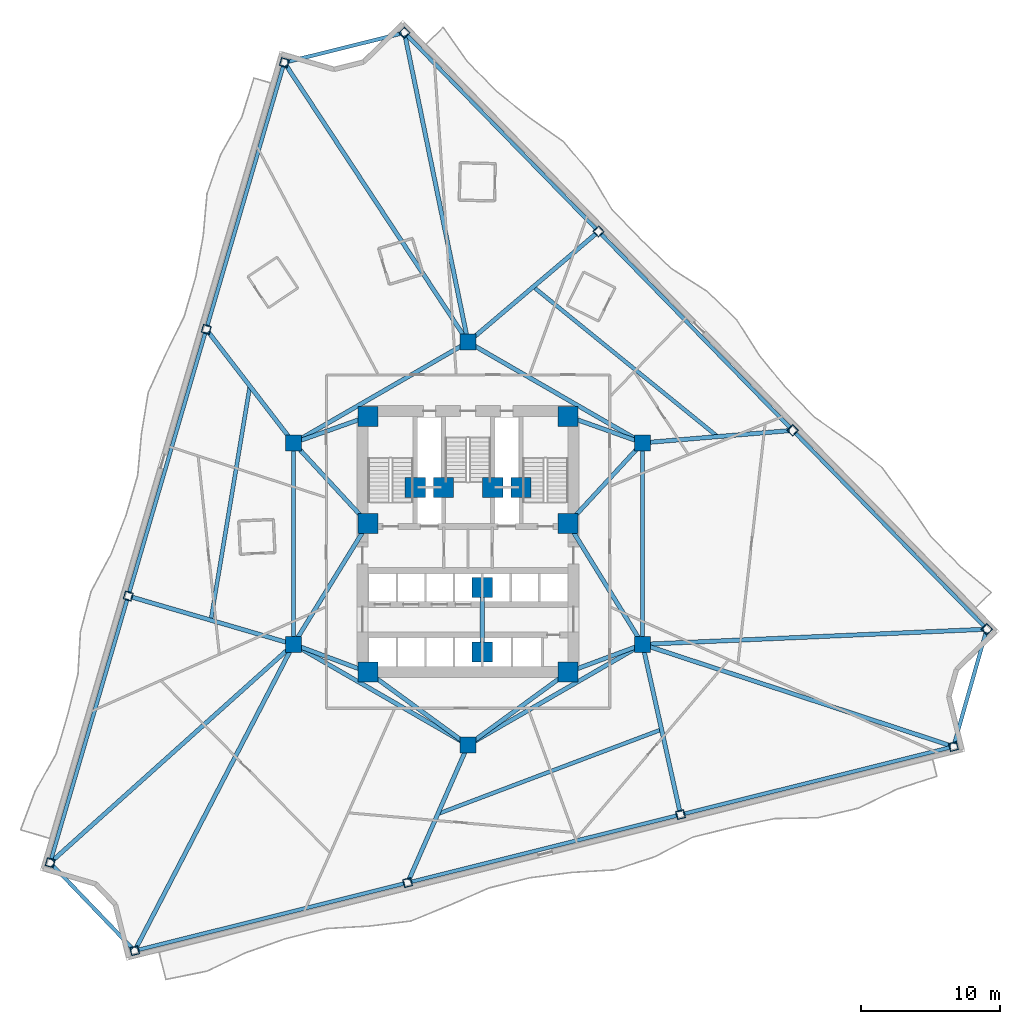
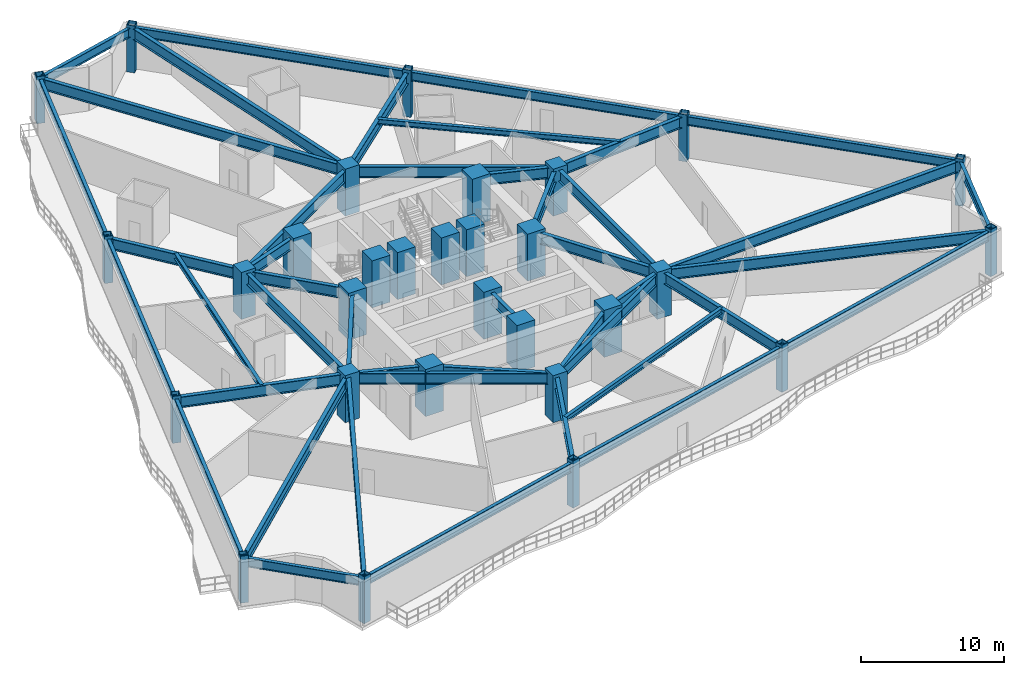
# One storey, part 1 of 10: 44 beams, 30 columns.
"""IFC4 building model written with IfcOpenShell, lengths in metres."""

from ifc_helpers import new_model, si_unit, direction, frame, origin, origin_2d, place, context, subcontext, project, spatial, rectangle, hollow_rectangle, i_section, extrude, material, material_profile, profile_set, type_object, element, save


model = new_model("IFC4")

# Units and contexts
model_context = context("Model", 3, precision=1e-05, world=origin(), true_north=direction((0.0, 1.0)))
body_context = subcontext(model_context, "Body", "Model", "MODEL_VIEW")
ifc_project = project(units=[si_unit("LENGTHUNIT", "METRE"), si_unit("AREAUNIT", "SQUARE_METRE"), si_unit("VOLUMEUNIT", "CUBIC_METRE"), si_unit("PLANEANGLEUNIT", "RADIAN"), si_unit("MASSUNIT", "GRAM", prefix="KILO")], contexts=[model_context])

# Site, building, storey
site_placement = place(None, origin())
site = spatial("IfcSite", under=ifc_project, at=site_placement, CompositionType="ELEMENT")
building_placement = place(site_placement, origin())
building = spatial("IfcBuilding", under=site, at=building_placement, Name="Apsidion Concourse Tower", CompositionType="ELEMENT")
storey_placement = place(building_placement, frame((0.0, 0.0, 99.0)))
storey = spatial("IfcBuildingStorey", under=building, at=storey_placement, Name="L22", CompositionType="ELEMENT", Elevation=99.0)

# Columns
ifc_material_1 = material(Name="Structural steel ASTM A572 Grade 50", Category="steel")
ifc_material_profile_1 = material_profile(ifc_material_1, hollow_rectangle(XDim=0.60009765625, YDim=0.60009765625, WallThickness=0.0400390625, at=origin_2d()), Name="BOX600X600X40")
ifc_profile_set_1 = profile_set([ifc_material_profile_1], Name="Structural steel ASTM A572 Grade 50")
column_type_1 = type_object("IfcColumnType", Name="COL-BOX-600", PredefinedType="COLUMN", material=ifc_profile_set_1)
for number, where, z_axis, x_axis, name in (
    (1, (-13.221435546875, 34.61669921875, 0.0), (0.0, 0.0, 1.0), (0.28083422227, 0.959756291775, 0.0), "L22 Rotated Perimeter Column PC01"),
    (2, (-18.839111328125, 15.422119140625, 0.0), (0.0, 0.0, 1.0), (0.28083422227, 0.959756291775, 0.0), "L22 Rotated Perimeter Column PC02"),
    (3, (-24.45703125, -3.772705078125, 0.0), (0.0, 0.0, 1.0), (0.28083422227, 0.959756291775, 0.0), "L22 Rotated Perimeter Column PC03"),
    (4, (-30.074951171875, -22.96728515625, 0.0), (0.0, 0.0, 1.0), (0.28083422227, 0.959756291775, 0.0), "L22 Rotated Perimeter Column PC04"),
    (5, (-23.9912109375, -29.302001953125, 0.0), (0.0, 0.0, 1.0), (0.970295726276, 0.2419218956, 0.0), "L22 Rotated Perimeter Column PC05"),
    (6, (-4.34765625, -24.404296875, 0.0), (0.0, 0.0, 1.0), (0.970295726276, 0.2419218956, 0.0), "L22 Rotated Perimeter Column PC06"),
    (7, (15.2958984375, -19.506591796875, 0.0), (0.0, 0.0, 1.0), (0.970295726276, 0.2419218956, 0.0), "L22 Rotated Perimeter Column PC07"),
    (8, (34.939208984375, -14.60888671875, 0.0), (0.0, 0.0, 1.0), (0.970295726276, 0.2419218956, 0.0), "L22 Rotated Perimeter Column PC08"),
    (9, (37.337158203125, -6.15966796875, 0.0), (0.0, 0.0, 1.0), (-0.698540186739, 0.715570826341, 0.0), "L22 Rotated Perimeter Column PC09"),
    (10, (23.365478515625, 8.15087890625, 0.0), (0.0, 0.0, 1.0), (-0.698540186739, 0.715570826341, 0.0), "L22 Rotated Perimeter Column PC10"),
    (11, (9.393798828125, 22.461181640625, 0.0), (0.0, 0.0, 1.0), (-0.698540186739, 0.715570826341, 0.0), "L22 Rotated Perimeter Column PC11"),
    (12, (-4.57763671875, 36.771728515625, 0.0), (0.0, 0.0, 1.0), (-0.698540186739, 0.715570826341, 0.0), "L22 Rotated Perimeter Column PC12"),
):
    element("IfcColumn", number, at=place(storey_placement, frame(where, z_axis=z_axis, x_axis=x_axis)), inside=storey, type_object=column_type_1, Name=name, PredefinedType="COLUMN", context=body_context, shape_type="SweptSolid", body=[
        extrude(hollow_rectangle(XDim=0.60009765625, YDim=0.60009765625, WallThickness=0.0400390625, at=origin_2d()), origin(), (0.0, 0.0, 1.0), 4.0),
    ])
ifc_material_2 = material(Name="Concrete C50/60", Category="concrete")
ifc_material_profile_2 = material_profile(ifc_material_2, rectangle(XDim=1.14990234375, YDim=1.14990234375, at=origin_2d()), Name="RC 1150x1150")
ifc_profile_set_2 = profile_set([ifc_material_profile_2], Name="Concrete C50/60")
column_type_2 = type_object("IfcColumnType", Name="COL-RC-1150", PredefinedType="COLUMN", material=ifc_profile_set_2)
for number, where, z_axis, x_axis, name in (
    (13, (-12.56005859375, -7.25, 0.0), (0.0, 0.0, 1.0), (1.0, 0.0, 0.0), "L22 Interior Spine Column IC1"),
    (14, (12.56005859375, -7.25, 0.0), (0.0, 0.0, 1.0), (1.0, 0.0, 0.0), "L22 Interior Spine Column IC2"),
    (15, (12.56005859375, 7.25, 0.0), (0.0, 0.0, 1.0), (1.0, 0.0, 0.0), "L22 Interior Spine Column IC3"),
    (16, (0.0, 14.5, 0.0), (0.0, 0.0, 1.0), (1.0, 0.0, 0.0), "L22 Interior Spine Column IC4"),
    (17, (-12.56005859375, 7.25, 0.0), (0.0, 0.0, 1.0), (1.0, 0.0, 0.0), "L22 Interior Spine Column IC5"),
    (18, (0.0, -14.5, 0.0), (0.0, 0.0, 1.0), (1.0, 0.0, 0.0), "L22 Interior Spine Column IC6"),
):
    element("IfcColumn", number, at=place(storey_placement, frame(where, z_axis=z_axis, x_axis=x_axis)), inside=storey, type_object=column_type_2, Name=name, PredefinedType="COLUMN", context=body_context, shape_type="SweptSolid", body=[
        extrude(rectangle(XDim=1.14990234375, YDim=1.14990234375, at=origin_2d()), origin(), (0.0, 0.0, 1.0), 4.0),
    ])
ifc_material_3 = material(Name="Concrete C60/75", Category="concrete")
ifc_material_profile_3 = material_profile(ifc_material_3, rectangle(XDim=1.449951171875, YDim=1.449951171875, at=origin_2d()), Name="RC 1450x1450")
ifc_profile_set_3 = profile_set([ifc_material_profile_3], Name="Concrete C60/75")
column_type_3 = type_object("IfcColumnType", Name="COL-RC-1450", PredefinedType="COLUMN", material=ifc_profile_set_3)
for number, where, z_axis, x_axis, name in (
    (19, (-7.199951171875, -9.25, 0.0), (0.0, 0.0, 1.0), (1.0, 0.0, 0.0), "L22 Core Super-Column SC1"),
    (20, (7.199951171875, -9.25, 0.0), (0.0, 0.0, 1.0), (1.0, 0.0, 0.0), "L22 Core Super-Column SC2"),
    (21, (7.199951171875, 1.449951171875, 0.0), (0.0, 0.0, 1.0), (1.0, 0.0, 0.0), "L22 Core Super-Column SC3"),
    (22, (7.199951171875, 9.14990234375, 0.0), (0.0, 0.0, 1.0), (1.0, 0.0, 0.0), "L22 Core Super-Column SC4"),
    (23, (-7.199951171875, 9.14990234375, 0.0), (0.0, 0.0, 1.0), (1.0, 0.0, 0.0), "L22 Core Super-Column SC5"),
    (24, (-7.199951171875, 1.449951171875, 0.0), (0.0, 0.0, 1.0), (1.0, 0.0, 0.0), "L22 Core Super-Column SC6"),
    (25, (-3.800048828125, 4.050048828125, 0.0), (0.0, 0.0, 1.0), (1.0, 0.0, 0.0), "L22 Core Super-Column CC1"),
    (26, (3.800048828125, 4.050048828125, 0.0), (0.0, 0.0, 1.0), (1.0, 0.0, 0.0), "L22 Core Super-Column CC2"),
    (27, (-1.77490234375, 4.050048828125, 0.0), (0.0, 0.0, 1.0), (1.0, 0.0, 0.0), "L22 Core Super-Column CC3"),
    (28, (1.77490234375, 4.050048828125, 0.0), (0.0, 0.0, 1.0), (1.0, 0.0, 0.0), "L22 Core Super-Column CC4"),
    (29, (1.02490234375, -3.14990234375, 0.0), (0.0, 0.0, 1.0), (1.0, 0.0, 0.0), "L22 Core Super-Column CC5"),
    (30, (1.02490234375, -7.800048828125, 0.0), (0.0, 0.0, 1.0), (1.0, 0.0, 0.0), "L22 Core Super-Column CC6"),
):
    element("IfcColumn", number, at=place(storey_placement, frame(where, z_axis=z_axis, x_axis=x_axis)), inside=storey, type_object=column_type_3, Name=name, PredefinedType="COLUMN", context=body_context, shape_type="SweptSolid", body=[
        extrude(rectangle(XDim=1.449951171875, YDim=1.449951171875, at=origin_2d()), origin(), (0.0, 0.0, 1.0), 4.0),
    ])

# Beams
ifc_material_4 = material(Name="Structural steel ASTM A992 Grade 50", Category="steel")
ifc_material_profile_4 = material_profile(ifc_material_4, i_section(OverallWidth=0.280029296875, OverallDepth=0.462890625, WebThickness=0.0107421875, FlangeThickness=0.017333984375, at=origin_2d()), Name="W18X76")
ifc_profile_set_4 = profile_set([ifc_material_profile_4], Name="Structural steel ASTM A992 Grade 50")
beam_type_1 = type_object("IfcBeamType", Name="BM-FL-W18M", PredefinedType="BEAM", material=ifc_profile_set_4)
beam_1_placement = place(storey_placement, frame((-15.69970703125, 11.3359375, 3.5185546875), z_axis=(-0.164452299767, -0.986385036941, 0.0), x_axis=(0.986385036941, -0.164452299767, 0.0)))
element("IfcBeam", 31, at=beam_1_placement, inside=storey, type_object=beam_type_1, Name="L22 Secondary Floor Beam SEC-F1", PredefinedType="BEAM", context=body_context, shape_type="SweptSolid", body=[
    extrude(i_section(OverallWidth=0.280029296875, OverallDepth=0.462890625, WebThickness=0.0107421875, FlangeThickness=0.017333984375, at=origin_2d()), origin(), (0.0, 0.0, 1.0), 17.079833984375),
])
beam_2_placement = place(storey_placement, frame((-2.173828125, -19.4521484375, 3.5185546875), z_axis=(0.935648218448, 0.352934004193, 0.0), x_axis=(-0.352934004193, 0.935648218448, 0.0)))
element("IfcBeam", 32, at=beam_2_placement, inside=storey, type_object=beam_type_1, Name="L22 Secondary Floor Beam SEC-F2", PredefinedType="BEAM", context=body_context, shape_type="SweptSolid", body=[
    extrude(i_section(OverallWidth=0.280029296875, OverallDepth=0.462890625, WebThickness=0.0107421875, FlangeThickness=0.017333984375, at=origin_2d()), origin(), (0.0, 0.0, 1.0), 17.209228515625),
])
beam_3_placement = place(storey_placement, frame((17.962646484375, 7.700439453125, 3.5185546875), z_axis=(-0.776058076577, 0.630661447831, 0.0), x_axis=(-0.630661447831, -0.776058076577, 0.0)))
element("IfcBeam", 33, at=beam_3_placement, inside=storey, type_object=beam_type_1, Name="L22 Secondary Floor Beam SEC-F3", PredefinedType="BEAM", context=body_context, shape_type="SweptSolid", body=[
    extrude(i_section(OverallWidth=0.280029296875, OverallDepth=0.462890625, WebThickness=0.0107421875, FlangeThickness=0.017333984375, at=origin_2d()), origin(), (0.0, 0.0, 1.0), 17.093505859375),
])
ifc_material_profile_5 = material_profile(ifc_material_4, i_section(OverallWidth=0.31005859375, OverallDepth=0.931884765625, WebThickness=0.02099609375, FlangeThickness=0.034423828125, at=origin_2d()), Name="W36X210")
ifc_profile_set_5 = profile_set([ifc_material_profile_5], Name="Structural steel ASTM A992 Grade 50")
beam_type_2 = type_object("IfcBeamType", Name="BM-G-W36", PredefinedType="USERDEFINED", material=ifc_profile_set_5)
beam_4_placement = place(storey_placement, frame((-12.185302734375, -7.389892578125, 3.283935546875), z_axis=(0.936913021145, -0.349562570664, 0.0), x_axis=(0.349562570664, 0.936913021145, 0.0)))
element("IfcBeam", 34, at=beam_4_placement, inside=storey, type_object=beam_type_2, Name="L22 Core Coupling Girder IC1-SC1", ObjectType="GIRDER", PredefinedType="USERDEFINED", context=body_context, shape_type="SweptSolid", body=[
    extrude(i_section(OverallWidth=0.31005859375, OverallDepth=0.931884765625, WebThickness=0.02099609375, FlangeThickness=0.034423828125, at=origin_2d()), origin(), (0.0, 0.0, 1.0), 4.921142578125),
])
beam_5_placement = place(storey_placement, frame((-12.35009765625, -6.909423828125, 3.283935546875), z_axis=(0.524524009763, 0.851395656074, 0.0), x_axis=(-0.851395656074, 0.524524009763, 0.0)))
element("IfcBeam", 35, at=beam_5_placement, inside=storey, type_object=beam_type_2, Name="L22 Core Coupling Girder IC1-SC6", ObjectType="GIRDER", PredefinedType="USERDEFINED", context=body_context, shape_type="SweptSolid", body=[
    extrude(i_section(OverallWidth=0.31005859375, OverallDepth=0.931884765625, WebThickness=0.02099609375, FlangeThickness=0.034423828125, at=origin_2d()), origin(), (0.0, 0.0, 1.0), 9.41845703125),
])
beam_6_placement = place(storey_placement, frame((12.185302734375, -7.389892578125, 3.283935546875), z_axis=(-0.936913021145, -0.349562570664, 0.0), x_axis=(0.349562570664, -0.936913021145, 0.0)))
element("IfcBeam", 36, at=beam_6_placement, inside=storey, type_object=beam_type_2, Name="L22 Core Coupling Girder IC2-SC2", ObjectType="GIRDER", PredefinedType="USERDEFINED", context=body_context, shape_type="SweptSolid", body=[
    extrude(i_section(OverallWidth=0.31005859375, OverallDepth=0.931884765625, WebThickness=0.02099609375, FlangeThickness=0.034423828125, at=origin_2d()), origin(), (0.0, 0.0, 1.0), 4.921142578125),
])
beam_7_placement = place(storey_placement, frame((12.35009765625, -6.909423828125, 3.283935546875), z_axis=(-0.524524009763, 0.851395656074, 0.0), x_axis=(-0.851395656074, -0.524524009763, 0.0)))
element("IfcBeam", 37, at=beam_7_placement, inside=storey, type_object=beam_type_2, Name="L22 Core Coupling Girder IC2-SC3", ObjectType="GIRDER", PredefinedType="USERDEFINED", context=body_context, shape_type="SweptSolid", body=[
    extrude(i_section(OverallWidth=0.31005859375, OverallDepth=0.931884765625, WebThickness=0.02099609375, FlangeThickness=0.034423828125, at=origin_2d()), origin(), (0.0, 0.0, 1.0), 9.41845703125),
])
beam_8_placement = place(storey_placement, frame((12.28857421875, 6.956298828125, 3.283935546875), z_axis=(-0.678712876106, -0.73440372535, 0.0), x_axis=(0.73440372535, -0.678712876106, 0.0)))
element("IfcBeam", 38, at=beam_8_placement, inside=storey, type_object=beam_type_2, Name="L22 Core Coupling Girder IC3-SC3", ObjectType="GIRDER", PredefinedType="USERDEFINED", context=body_context, shape_type="SweptSolid", body=[
    extrude(i_section(OverallWidth=0.31005859375, OverallDepth=0.931884765625, WebThickness=0.02099609375, FlangeThickness=0.034423828125, at=origin_2d()), origin(), (0.0, 0.0, 1.0), 7.097412109375),
])
beam_9_placement = place(storey_placement, frame((12.18310546875, 7.383544921875, 3.283935546875), z_axis=(-0.942533844539, 0.334110688094, 0.0), x_axis=(-0.334110688094, -0.942533844539, 0.0)))
element("IfcBeam", 39, at=beam_9_placement, inside=storey, type_object=beam_type_2, Name="L22 Core Coupling Girder IC3-SC4", ObjectType="GIRDER", PredefinedType="USERDEFINED", context=body_context, shape_type="SweptSolid", body=[
    extrude(i_section(OverallWidth=0.31005859375, OverallDepth=0.931884765625, WebThickness=0.02099609375, FlangeThickness=0.034423828125, at=origin_2d()), origin(), (0.0, 0.0, 1.0), 4.886962890625),
])
beam_10_placement = place(storey_placement, frame((-12.28857421875, 6.956298828125, 3.283935546875), z_axis=(0.678712876106, -0.73440372535, 0.0), x_axis=(0.73440372535, 0.678712876106, 0.0)))
element("IfcBeam", 40, at=beam_10_placement, inside=storey, type_object=beam_type_2, Name="L22 Core Coupling Girder IC5-SC6", ObjectType="GIRDER", PredefinedType="USERDEFINED", context=body_context, shape_type="SweptSolid", body=[
    extrude(i_section(OverallWidth=0.31005859375, OverallDepth=0.931884765625, WebThickness=0.02099609375, FlangeThickness=0.034423828125, at=origin_2d()), origin(), (0.0, 0.0, 1.0), 7.097412109375),
])
beam_11_placement = place(storey_placement, frame((-12.18310546875, 7.383544921875, 3.283935546875), z_axis=(0.942533844539, 0.334110688094, 0.0), x_axis=(-0.334110688094, 0.942533844539, 0.0)))
element("IfcBeam", 41, at=beam_11_placement, inside=storey, type_object=beam_type_2, Name="L22 Core Coupling Girder IC5-SC5", ObjectType="GIRDER", PredefinedType="USERDEFINED", context=body_context, shape_type="SweptSolid", body=[
    extrude(i_section(OverallWidth=0.31005859375, OverallDepth=0.931884765625, WebThickness=0.02099609375, FlangeThickness=0.034423828125, at=origin_2d()), origin(), (0.0, 0.0, 1.0), 4.886962890625),
])
for number, where, z_axis, x_axis, name in (
    (42, (-0.3232421875, -14.264404296875, 3.283935546875), (-0.807993498909, 0.589191399905, 0.0), (-0.589191399905, -0.807993498909, 0.0), "L22 Core Coupling Girder IC6-SC1"),
    (43, (0.3232421875, -14.264404296875, 3.283935546875), (0.807993498909, 0.589191399905, 0.0), (-0.589191399905, 0.807993498909, 0.0), "L22 Core Coupling Girder IC6-SC2"),
):
    element("IfcBeam", number, at=place(storey_placement, frame(where, z_axis=z_axis, x_axis=x_axis)), inside=storey, type_object=beam_type_2, Name=name, ObjectType="GIRDER", PredefinedType="USERDEFINED", context=body_context, shape_type="SweptSolid", body=[
        extrude(i_section(OverallWidth=0.31005859375, OverallDepth=0.931884765625, WebThickness=0.02099609375, FlangeThickness=0.034423828125, at=origin_2d()), origin(), (0.0, 0.0, 1.0), 8.11083984375),
    ])
beam_12_placement = place(storey_placement, frame((-12.56005859375, -6.85009765625, 3.283935546875), z_axis=(0.0, 1.0, 0.0), x_axis=(-1.0, 0.0, 0.0)))
element("IfcBeam", 44, at=beam_12_placement, inside=storey, type_object=beam_type_2, Name="L22 Core Coupling Girder IC1-IC5", ObjectType="GIRDER", PredefinedType="USERDEFINED", context=body_context, shape_type="SweptSolid", body=[
    extrude(i_section(OverallWidth=0.31005859375, OverallDepth=0.931884765625, WebThickness=0.02099609375, FlangeThickness=0.034423828125, at=origin_2d()), origin(), (0.0, 0.0, 1.0), 13.7001953125),
])
for number, where, z_axis, x_axis, name in (
    (45, (-12.213623046875, 7.449951171875, 3.283935546875), (0.866070471464, 0.499921932364, 0.0), (-0.499921932364, 0.866070471464, 0.0), "L22 Core Coupling Girder IC5-IC4"),
    (46, (0.346435546875, 14.300048828125, 3.283935546875), (0.866070471464, -0.499921932364, 0.0), (0.499921932364, 0.866070471464, 0.0), "L22 Core Coupling Girder IC4-IC3"),
):
    element("IfcBeam", number, at=place(storey_placement, frame(where, z_axis=z_axis, x_axis=x_axis)), inside=storey, type_object=beam_type_2, Name=name, ObjectType="GIRDER", PredefinedType="USERDEFINED", context=body_context, shape_type="SweptSolid", body=[
        extrude(i_section(OverallWidth=0.31005859375, OverallDepth=0.931884765625, WebThickness=0.02099609375, FlangeThickness=0.034423828125, at=origin_2d()), origin(), (0.0, 0.0, 1.0), 13.702392578125),
    ])
beam_13_placement = place(storey_placement, frame((12.56005859375, 6.85009765625, 3.283935546875), z_axis=(0.0, -1.0, 0.0), x_axis=(1.0, 0.0, 0.0)))
element("IfcBeam", 47, at=beam_13_placement, inside=storey, type_object=beam_type_2, Name="L22 Core Coupling Girder IC3-IC2", ObjectType="GIRDER", PredefinedType="USERDEFINED", context=body_context, shape_type="SweptSolid", body=[
    extrude(i_section(OverallWidth=0.31005859375, OverallDepth=0.931884765625, WebThickness=0.02099609375, FlangeThickness=0.034423828125, at=origin_2d()), origin(), (0.0, 0.0, 1.0), 13.7001953125),
])
for number, where, z_axis, x_axis, name in (
    (48, (12.213623046875, -7.449951171875, 3.283935546875), (-0.866070471464, -0.499921932364, 0.0), (0.499921932364, -0.866070471464, 0.0), "L22 Core Coupling Girder IC2-IC6"),
    (49, (-0.346435546875, -14.300048828125, 3.283935546875), (-0.866070471464, 0.499921932364, 0.0), (-0.499921932364, -0.866070471464, 0.0), "L22 Core Coupling Girder IC6-IC1"),
):
    element("IfcBeam", number, at=place(storey_placement, frame(where, z_axis=z_axis, x_axis=x_axis)), inside=storey, type_object=beam_type_2, Name=name, ObjectType="GIRDER", PredefinedType="USERDEFINED", context=body_context, shape_type="SweptSolid", body=[
        extrude(i_section(OverallWidth=0.31005859375, OverallDepth=0.931884765625, WebThickness=0.02099609375, FlangeThickness=0.034423828125, at=origin_2d()), origin(), (0.0, 0.0, 1.0), 13.702392578125),
    ])
beam_14_placement = place(storey_placement, frame((1.02490234375, -3.550048828125, 3.283935546875), z_axis=(0.0, -1.0, 0.0), x_axis=(1.0, 0.0, 0.0)))
element("IfcBeam", 50, at=beam_14_placement, inside=storey, type_object=beam_type_2, Name="L22 Core Coupling Girder CC5-CC6", ObjectType="GIRDER", PredefinedType="USERDEFINED", context=body_context, shape_type="SweptSolid", body=[
    extrude(i_section(OverallWidth=0.31005859375, OverallDepth=0.931884765625, WebThickness=0.02099609375, FlangeThickness=0.034423828125, at=origin_2d()), origin(), (0.0, 0.0, 1.0), 3.849853515625),
])
beam_15_placement = place(storey_placement, frame((-0.120849609375, 14.683837890625, 3.283935546875), z_axis=(-0.549231276492, 0.835670392513, 0.0), x_axis=(-0.835670392513, -0.549231276492, 0.0)))
element("IfcBeam", 51, at=beam_15_placement, inside=storey, type_object=beam_type_2, Name="L22 Radial Floor Girder RAD-01", ObjectType="GIRDER", PredefinedType="USERDEFINED", context=body_context, shape_type="SweptSolid", body=[
    extrude(i_section(OverallWidth=0.31005859375, OverallDepth=0.931884765625, WebThickness=0.02099609375, FlangeThickness=0.034423828125, at=origin_2d()), origin(), (0.0, 0.0, 1.0), 23.632568359375),
])
beam_16_placement = place(storey_placement, frame((-12.694091796875, 7.42431640625, 3.283935546875), z_axis=(-0.609271770486, 0.792961480583, 0.0), x_axis=(-0.792961480583, -0.609271770486, 0.0)))
element("IfcBeam", 52, at=beam_16_placement, inside=storey, type_object=beam_type_2, Name="L22 Radial Floor Girder RAD-02", ObjectType="GIRDER", PredefinedType="USERDEFINED", context=body_context, shape_type="SweptSolid", body=[
    extrude(i_section(OverallWidth=0.31005859375, OverallDepth=0.931884765625, WebThickness=0.02099609375, FlangeThickness=0.034423828125, at=origin_2d()), origin(), (0.0, 0.0, 1.0), 9.865966796875),
])
beam_17_placement = place(storey_placement, frame((-12.771240234375, -7.188232421875, 3.283935546875), z_axis=(-0.959842483231, 0.28053949345, 0.0), x_axis=(-0.28053949345, -0.959842483231, 0.0)))
element("IfcBeam", 53, at=beam_17_placement, inside=storey, type_object=beam_type_2, Name="L22 Radial Floor Girder RAD-03", ObjectType="GIRDER", PredefinedType="USERDEFINED", context=body_context, shape_type="SweptSolid", body=[
    extrude(i_section(OverallWidth=0.31005859375, OverallDepth=0.931884765625, WebThickness=0.02099609375, FlangeThickness=0.034423828125, at=origin_2d()), origin(), (0.0, 0.0, 1.0), 11.95458984375),
])
beam_18_placement = place(storey_placement, frame((-12.7236328125, -7.39697265625, 3.283935546875), z_axis=(-0.744271119318, -0.667877609259, 0.0), x_axis=(0.667877609259, -0.744271119318, 0.0)))
element("IfcBeam", 54, at=beam_18_placement, inside=storey, type_object=beam_type_2, Name="L22 Radial Floor Girder RAD-04", ObjectType="GIRDER", PredefinedType="USERDEFINED", context=body_context, shape_type="SweptSolid", body=[
    extrude(i_section(OverallWidth=0.31005859375, OverallDepth=0.931884765625, WebThickness=0.02099609375, FlangeThickness=0.034423828125, at=origin_2d()), origin(), (0.0, 0.0, 1.0), 23.093017578125),
])
beam_19_placement = place(storey_placement, frame((-12.6611328125, -7.4453125, 3.283935546875), z_axis=(-0.460218148247, -0.88780586618, 0.0), x_axis=(0.88780586618, -0.460218148247, 0.0)))
element("IfcBeam", 55, at=beam_19_placement, inside=storey, type_object=beam_type_2, Name="L22 Radial Floor Girder RAD-05", ObjectType="GIRDER", PredefinedType="USERDEFINED", context=body_context, shape_type="SweptSolid", body=[
    extrude(i_section(OverallWidth=0.31005859375, OverallDepth=0.931884765625, WebThickness=0.02099609375, FlangeThickness=0.034423828125, at=origin_2d()), origin(), (0.0, 0.0, 1.0), 24.398681640625),
])
beam_20_placement = place(storey_placement, frame((-0.08837890625, -14.701416015625, 3.283935546875), z_axis=(-0.401951572059, -0.915660927265, 0.0), x_axis=(0.915660927265, -0.401951572059, 0.0)))
element("IfcBeam", 56, at=beam_20_placement, inside=storey, type_object=beam_type_2, Name="L22 Radial Floor Girder RAD-06", ObjectType="GIRDER", PredefinedType="USERDEFINED", context=body_context, shape_type="SweptSolid", body=[
    extrude(i_section(OverallWidth=0.31005859375, OverallDepth=0.931884765625, WebThickness=0.02099609375, FlangeThickness=0.034423828125, at=origin_2d()), origin(), (0.0, 0.0, 1.0), 10.376708984375),
])
beam_21_placement = place(storey_placement, frame((12.60791015625, -7.464599609375, 3.283935546875), z_axis=(0.217841210103, -0.975984224863, 0.0), x_axis=(0.975984224863, 0.217841210103, 0.0)))
element("IfcBeam", 57, at=beam_21_placement, inside=storey, type_object=beam_type_2, Name="L22 Radial Floor Girder RAD-07", ObjectType="GIRDER", PredefinedType="USERDEFINED", context=body_context, shape_type="SweptSolid", body=[
    extrude(i_section(OverallWidth=0.31005859375, OverallDepth=0.931884765625, WebThickness=0.02099609375, FlangeThickness=0.034423828125, at=origin_2d()), origin(), (0.0, 0.0, 1.0), 12.118408203125),
])
beam_22_placement = place(storey_placement, frame((12.76904296875, -7.318603515625, 3.283935546875), z_axis=(0.949956513511, -0.312382173687, 0.0), x_axis=(0.312382173687, 0.949956513511, 0.0)))
element("IfcBeam", 58, at=beam_22_placement, inside=storey, type_object=beam_type_2, Name="L22 Radial Floor Girder RAD-08", ObjectType="GIRDER", PredefinedType="USERDEFINED", context=body_context, shape_type="SweptSolid", body=[
    extrude(i_section(OverallWidth=0.31005859375, OverallDepth=0.931884765625, WebThickness=0.02099609375, FlangeThickness=0.034423828125, at=origin_2d()), origin(), (0.0, 0.0, 1.0), 23.1181640625),
])
beam_23_placement = place(storey_placement, frame((12.77978515625, -7.240234375, 3.283935546875), z_axis=(0.999033044111, 0.043965631729, 0.0), x_axis=(-0.043965631729, 0.999033044111, 0.0)))
element("IfcBeam", 59, at=beam_23_placement, inside=storey, type_object=beam_type_2, Name="L22 Radial Floor Girder RAD-09", ObjectType="GIRDER", PredefinedType="USERDEFINED", context=body_context, shape_type="SweptSolid", body=[
    extrude(i_section(OverallWidth=0.31005859375, OverallDepth=0.931884765625, WebThickness=0.02099609375, FlangeThickness=0.034423828125, at=origin_2d()), origin(), (0.0, 0.0, 1.0), 24.36083984375),
])
beam_24_placement = place(storey_placement, frame((12.779296875, 7.268310546875, 3.283935546875), z_axis=(0.996543006218, 0.083078497563, 0.0), x_axis=(-0.083078497563, 0.996543006218, 0.0)))
element("IfcBeam", 60, at=beam_24_placement, inside=storey, type_object=beam_type_2, Name="L22 Radial Floor Girder RAD-10", ObjectType="GIRDER", PredefinedType="USERDEFINED", context=body_context, shape_type="SweptSolid", body=[
    extrude(i_section(OverallWidth=0.31005859375, OverallDepth=0.931884765625, WebThickness=0.02099609375, FlangeThickness=0.034423828125, at=origin_2d()), origin(), (0.0, 0.0, 1.0), 10.40283203125),
])
beam_25_placement = place(storey_placement, frame((0.167724609375, 14.64208984375, 3.283935546875), z_axis=(0.762877552184, 0.646542991899, 0.0), x_axis=(-0.646542991899, 0.762877552184, 0.0)))
element("IfcBeam", 61, at=beam_25_placement, inside=storey, type_object=beam_type_2, Name="L22 Radial Floor Girder RAD-11", ObjectType="GIRDER", PredefinedType="USERDEFINED", context=body_context, shape_type="SweptSolid", body=[
    extrude(i_section(OverallWidth=0.31005859375, OverallDepth=0.931884765625, WebThickness=0.02099609375, FlangeThickness=0.034423828125, at=origin_2d()), origin(), (0.0, 0.0, 1.0), 11.8740234375),
])
beam_26_placement = place(storey_placement, frame((-0.044189453125, 14.715576171875, 3.283935546875), z_axis=(-0.201337476768, 0.979521934644, 0.0), x_axis=(-0.979521934644, -0.201337476768, 0.0)))
element("IfcBeam", 62, at=beam_26_placement, inside=storey, type_object=beam_type_2, Name="L22 Radial Floor Girder RAD-12", ObjectType="GIRDER", PredefinedType="USERDEFINED", context=body_context, shape_type="SweptSolid", body=[
    extrude(i_section(OverallWidth=0.31005859375, OverallDepth=0.931884765625, WebThickness=0.02099609375, FlangeThickness=0.034423828125, at=origin_2d()), origin(), (0.0, 0.0, 1.0), 22.297119140625),
])
ifc_material_profile_6 = material_profile(ifc_material_4, i_section(OverallWidth=0.26806640625, OverallDepth=0.77001953125, WebThickness=0.015625, FlangeThickness=0.025390625, at=origin_2d()), Name="W30X132")
ifc_profile_set_6 = profile_set([ifc_material_profile_6], Name="Structural steel ASTM A992 Grade 50")
beam_type_3 = type_object("IfcBeamType", Name="BM-SP-W30", PredefinedType="SPANDREL", material=ifc_profile_set_6)
beam_27_placement = place(storey_placement, frame((-13.283203125, 34.405517578125, 3.364990234375), z_axis=(-0.280887536845, -0.959740689793, 0.0), x_axis=(0.959740689793, -0.280887536845, 0.0)))
element("IfcBeam", 63, at=beam_27_placement, inside=storey, type_object=beam_type_3, Name="L22 Perimeter Spandrel Girder SP-01", PredefinedType="SPANDREL", context=body_context, shape_type="SweptSolid", body=[
    extrude(i_section(OverallWidth=0.26806640625, OverallDepth=0.77001953125, WebThickness=0.015625, FlangeThickness=0.025390625, at=origin_2d()), origin(), (0.0, 0.0, 1.0), 19.559814453125),
])
beam_28_placement = place(storey_placement, frame((-18.90087890625, 15.2109375, 3.364990234375), z_axis=(-0.28089903368, -0.959737324937, 0.0), x_axis=(0.959737324937, -0.28089903368, 0.0)))
element("IfcBeam", 64, at=beam_28_placement, inside=storey, type_object=beam_type_3, Name="L22 Perimeter Spandrel Girder SP-02", PredefinedType="SPANDREL", context=body_context, shape_type="SweptSolid", body=[
    extrude(i_section(OverallWidth=0.26806640625, OverallDepth=0.77001953125, WebThickness=0.015625, FlangeThickness=0.025390625, at=origin_2d()), origin(), (0.0, 0.0, 1.0), 19.56005859375),
])
beam_29_placement = place(storey_placement, frame((-24.518798828125, -3.98388671875, 3.364990234375), z_axis=(-0.280902398632, -0.959736340066, 0.0), x_axis=(0.959736340066, -0.280902398632, 0.0)))
element("IfcBeam", 65, at=beam_29_placement, inside=storey, type_object=beam_type_3, Name="L22 Perimeter Spandrel Girder SP-03", PredefinedType="SPANDREL", context=body_context, shape_type="SweptSolid", body=[
    extrude(i_section(OverallWidth=0.26806640625, OverallDepth=0.77001953125, WebThickness=0.015625, FlangeThickness=0.025390625, at=origin_2d()), origin(), (0.0, 0.0, 1.0), 19.559814453125),
])
beam_30_placement = place(storey_placement, frame((-29.922607421875, -23.1259765625, 3.364990234375), z_axis=(0.692682269789, -0.721242866946, 0.0), x_axis=(0.721242866946, 0.692682269789, 0.0)))
element("IfcBeam", 66, at=beam_30_placement, inside=storey, type_object=beam_type_3, Name="L22 Perimeter Spandrel Girder SP-04", PredefinedType="SPANDREL", context=body_context, shape_type="SweptSolid", body=[
    extrude(i_section(OverallWidth=0.26806640625, OverallDepth=0.77001953125, WebThickness=0.015625, FlangeThickness=0.025390625, at=origin_2d()), origin(), (0.0, 0.0, 1.0), 8.343017578125),
])
beam_31_placement = place(storey_placement, frame((-23.777587890625, -29.248779296875, 3.364990234375), z_axis=(0.970295310837, 0.24192356183, 0.0), x_axis=(-0.24192356183, 0.970295310837, 0.0)))
element("IfcBeam", 67, at=beam_31_placement, inside=storey, type_object=beam_type_3, Name="L22 Perimeter Spandrel Girder SP-05", PredefinedType="SPANDREL", context=body_context, shape_type="SweptSolid", body=[
    extrude(i_section(OverallWidth=0.26806640625, OverallDepth=0.77001953125, WebThickness=0.015625, FlangeThickness=0.025390625, at=origin_2d()), origin(), (0.0, 0.0, 1.0), 19.804931640625),
])
beam_32_placement = place(storey_placement, frame((-4.134033203125, -24.35107421875, 3.364990234375), z_axis=(0.970294589343, 0.241926455544, 0.0), x_axis=(-0.241926455544, 0.970294589343, 0.0)))
element("IfcBeam", 68, at=beam_32_placement, inside=storey, type_object=beam_type_3, Name="L22 Perimeter Spandrel Girder SP-06", PredefinedType="SPANDREL", context=body_context, shape_type="SweptSolid", body=[
    extrude(i_section(OverallWidth=0.26806640625, OverallDepth=0.77001953125, WebThickness=0.015625, FlangeThickness=0.025390625, at=origin_2d()), origin(), (0.0, 0.0, 1.0), 19.8046875),
])
beam_33_placement = place(storey_placement, frame((15.50927734375, -19.453369140625, 3.364990234375), z_axis=(0.970295310837, 0.24192356183, 0.0), x_axis=(-0.24192356183, 0.970295310837, 0.0)))
element("IfcBeam", 69, at=beam_33_placement, inside=storey, type_object=beam_type_3, Name="L22 Perimeter Spandrel Girder SP-07", PredefinedType="SPANDREL", context=body_context, shape_type="SweptSolid", body=[
    extrude(i_section(OverallWidth=0.26806640625, OverallDepth=0.77001953125, WebThickness=0.015625, FlangeThickness=0.025390625, at=origin_2d()), origin(), (0.0, 0.0, 1.0), 19.804931640625),
])
beam_34_placement = place(storey_placement, frame((34.99951171875, -14.397216796875, 3.364990234375), z_axis=(0.272993072399, 0.962015999047, 0.0), x_axis=(-0.962015999047, 0.272993072399, 0.0)))
element("IfcBeam", 70, at=beam_34_placement, inside=storey, type_object=beam_type_3, Name="L22 Perimeter Spandrel Girder SP-08", PredefinedType="SPANDREL", context=body_context, shape_type="SweptSolid", body=[
    extrude(i_section(OverallWidth=0.26806640625, OverallDepth=0.77001953125, WebThickness=0.015625, FlangeThickness=0.025390625, at=origin_2d()), origin(), (0.0, 0.0, 1.0), 8.343017578125),
])
beam_35_placement = place(storey_placement, frame((37.183349609375, -6.002197265625, 3.364990234375), z_axis=(-0.698580853564, 0.715531125133, 0.0), x_axis=(-0.715531125133, -0.698580853564, 0.0)))
element("IfcBeam", 71, at=beam_35_placement, inside=storey, type_object=beam_type_3, Name="L22 Perimeter Spandrel Girder SP-09", PredefinedType="SPANDREL", context=body_context, shape_type="SweptSolid", body=[
    extrude(i_section(OverallWidth=0.26806640625, OverallDepth=0.77001953125, WebThickness=0.015625, FlangeThickness=0.025390625, at=origin_2d()), origin(), (0.0, 0.0, 1.0), 19.559814453125),
])
beam_36_placement = place(storey_placement, frame((23.2119140625, 8.30810546875, 3.364990234375), z_axis=(-0.698581004946, 0.715530977337, 0.0), x_axis=(-0.715530977337, -0.698581004946, 0.0)))
element("IfcBeam", 72, at=beam_36_placement, inside=storey, type_object=beam_type_3, Name="L22 Perimeter Spandrel Girder SP-10", PredefinedType="SPANDREL", context=body_context, shape_type="SweptSolid", body=[
    extrude(i_section(OverallWidth=0.26806640625, OverallDepth=0.77001953125, WebThickness=0.015625, FlangeThickness=0.025390625, at=origin_2d()), origin(), (0.0, 0.0, 1.0), 19.56005859375),
])
beam_37_placement = place(storey_placement, frame((9.240234375, 22.61865234375, 3.364990234375), z_axis=(-0.698587243968, 0.715524886056, 0.0), x_axis=(-0.715524886056, -0.698587243968, 0.0)))
element("IfcBeam", 73, at=beam_37_placement, inside=storey, type_object=beam_type_3, Name="L22 Perimeter Spandrel Girder SP-11", PredefinedType="SPANDREL", context=body_context, shape_type="SweptSolid", body=[
    extrude(i_section(OverallWidth=0.26806640625, OverallDepth=0.77001953125, WebThickness=0.015625, FlangeThickness=0.025390625, at=origin_2d()), origin(), (0.0, 0.0, 1.0), 19.559814453125),
])
beam_38_placement = place(storey_placement, frame((-4.791259765625, 36.718505859375, 3.364990234375), z_axis=(-0.970296632691, -0.241918260137, 0.0), x_axis=(0.241918260137, -0.970296632691, 0.0)))
element("IfcBeam", 74, at=beam_38_placement, inside=storey, type_object=beam_type_3, Name="L22 Perimeter Spandrel Girder SP-12", PredefinedType="SPANDREL", context=body_context, shape_type="SweptSolid", body=[
    extrude(i_section(OverallWidth=0.26806640625, OverallDepth=0.77001953125, WebThickness=0.015625, FlangeThickness=0.025390625, at=origin_2d()), origin(), (0.0, 0.0, 1.0), 8.468017578125),
])

save(model, "model.ifc")
